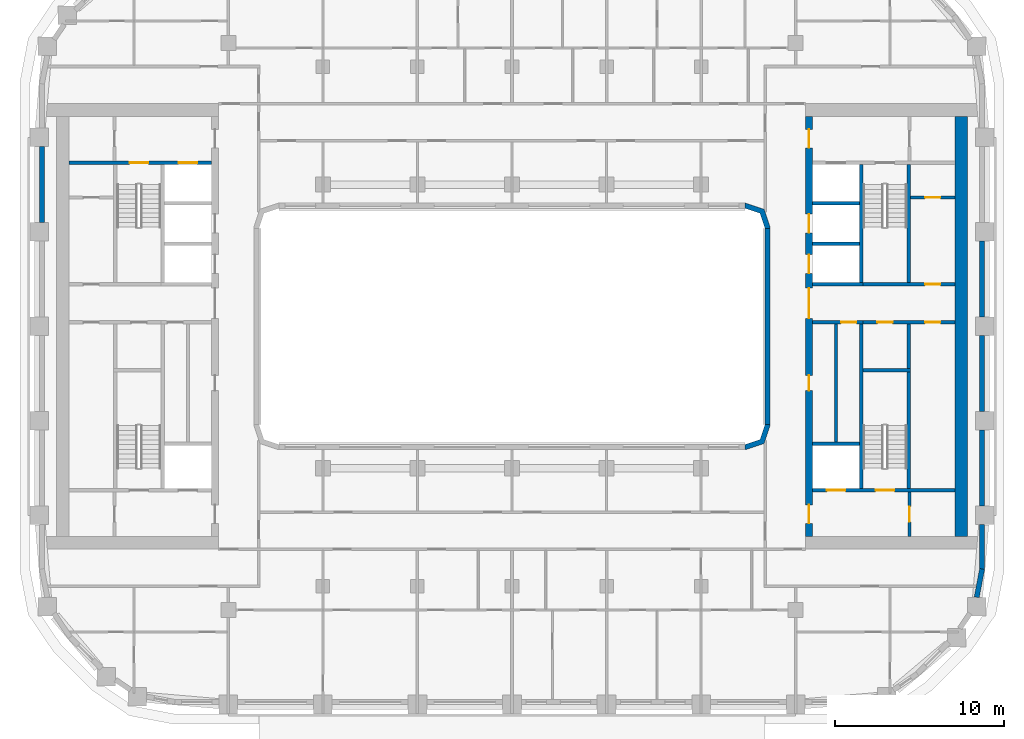
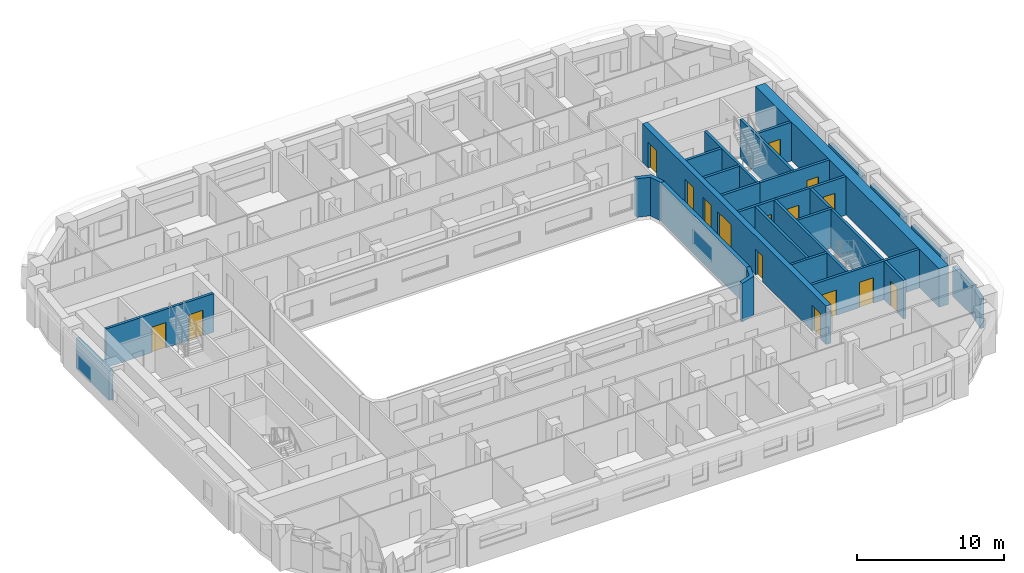
# One storey, part 6 of 22: 29 walls, 16 doors, 16 openings.
"""IFC4 building model written with IfcOpenShell, lengths in metres."""

from ifc_helpers import new_model, si_unit, direction, frame, frame_2d, origin, place, context, subcontext, project, spatial, polyline, rectangle, outline, extrude, material, layer, layer_set, type_object, element, fill, save


model = new_model("IFC4")

# Units and contexts
model_context = context("Model", 3, precision=1e-05, world=origin(), true_north=direction((0.0, 1.0)))
body_context = subcontext(model_context, "Body", "Model", "MODEL_VIEW")
ifc_project = project(units=[si_unit("LENGTHUNIT", "METRE"), si_unit("AREAUNIT", "SQUARE_METRE"), si_unit("VOLUMEUNIT", "CUBIC_METRE"), si_unit("PLANEANGLEUNIT", "RADIAN"), si_unit("MASSUNIT", "GRAM", prefix="KILO")], contexts=[model_context])

# Site, building, storey
site_placement = place(None, origin())
site = spatial("IfcSite", under=ifc_project, at=site_placement, CompositionType="ELEMENT")
building_placement = place(site_placement, origin())
building = spatial("IfcBuilding", under=site, at=building_placement, Name="Kiln Ring Residences", CompositionType="ELEMENT")
storey_placement = place(building_placement, frame((0.0, 0.0, 143.10009765625)))
storey = spatial("IfcBuildingStorey", under=building, at=storey_placement, Name="L36", CompositionType="ELEMENT", Elevation=143.10009765625)

# Wall
ifc_material_1 = material(Name="Gypsum board on steel studs", Category="steel")
ifc_layer_1 = layer(ifc_material_1, 0.199951171875)
ifc_layer_set_1 = layer_set([ifc_layer_1], Name="CORE-PARTITION-200")
wall_type_1 = type_object("IfcWallType", Name="CORE-PARTITION-200", PredefinedType="PARTITIONING", material=ifc_layer_set_1)
wall_1_placement = place(storey_placement, frame((23.5, -2.5, 0.0), z_axis=(0.0, 0.0, 1.0), x_axis=(0.0, 1.0, 0.0)))
element("IfcWall", 1, at=wall_1_placement, inside=storey, type_object=wall_type_1, Name="Core partition east L36 1", PredefinedType="PARTITIONING", context=body_context, shape_type="SweptSolid", body=[
    extrude(rectangle(XDim=2.64990234375, YDim=0.199951171875, at=frame_2d((1.324951171875, 0.0))), origin(), (0.0, 0.0, 1.0), 3.199951171875),
])

# Wall, openings, doors
wall_2_placement = place(storey_placement, frame((20.800048828125, 0.25, 0.0), z_axis=(0.0, 0.0, 1.0), x_axis=(1.0, 0.0, 0.0)))
wall_2 = element("IfcWall", 2, at=wall_2_placement, inside=storey, type_object=wall_type_1, Name="Core partition east L36 2", PredefinedType="PARTITIONING", context=body_context, shape_type="SweptSolid", body=[
    extrude(rectangle(XDim=5.449951171875, YDim=0.199951171875, at=frame_2d((2.72509765625, 0.0))), origin(), (0.0, 0.0, 1.0), 3.199951171875),
])
opening_1_placement = place(wall_2_placement, frame((0.85009765625, 0.0, 0.0)))
opening_1 = element("IfcOpeningElement", 3, at=opening_1_placement, cuts=wall_2, Name="Opening L36-CE14", PredefinedType="OPENING", context=body_context, shape_type="SweptSolid", body=[
    extrude(rectangle(XDim=0.89990234375, YDim=2.10009765625, at=frame_2d((0.449951171875, 1.050048828125))), frame((0.0, 0.10986328125, 0.0), z_axis=(0.0, -1.0, 0.0), x_axis=(1.0, 0.0, 0.0)), (0.0, 0.0, 1.0), 0.219970703125),
])
opening_2_placement = place(wall_2_placement, frame((3.675048828125, 0.0, 0.0)))
opening_2 = element("IfcOpeningElement", 4, at=opening_2_placement, cuts=wall_2, Name="Opening L36-CE15", PredefinedType="OPENING", context=body_context, shape_type="SweptSolid", body=[
    extrude(rectangle(XDim=0.89990234375, YDim=2.10009765625, at=frame_2d((0.449951171875, 1.050048828125))), frame((0.0, 0.10986328125, 0.0), z_axis=(0.0, -1.0, 0.0), x_axis=(1.0, 0.0, 0.0)), (0.0, 0.0, 1.0), 0.219970703125),
])
ifc_material_2 = material(Name="Steel door leaf", Category="steel")
door_type_1 = type_object("IfcDoorType", Name="CORE-DOOR-ROOM", OperationType="SINGLE_SWING_LEFT", PredefinedType="DOOR", material=ifc_material_2)
door_1_placement = place(opening_1_placement, origin())
door_1 = element("IfcDoor", 5, at=door_1_placement, inside=storey, type_object=door_type_1, Name="Refuse and recycling room L36-CE14", OperationType="SINGLE_SWING_LEFT", OverallHeight=2.10009765625, OverallWidth=0.89990234375, PredefinedType="DOOR", context=body_context, shape_type="SweptSolid", body=[
    extrude(rectangle(XDim=0.89990234375, YDim=2.10009765625, at=frame_2d((0.449951171875, 1.050048828125))), frame((0.0, 0.02490234375, 0.0), z_axis=(0.0, -1.0, 0.0), x_axis=(1.0, 0.0, 0.0)), (0.0, 0.0, 1.0), 0.050048828125),
])
fill(opening_1, door_1)
door_2_placement = place(opening_2_placement, origin())
door_2 = element("IfcDoor", 6, at=door_2_placement, inside=storey, type_object=door_type_1, Name="Water tank room L36-CE15", OperationType="SINGLE_SWING_RIGHT", OverallHeight=2.10009765625, OverallWidth=0.89990234375, PredefinedType="DOOR", context=body_context, shape_type="SweptSolid", body=[
    extrude(rectangle(XDim=0.89990234375, YDim=2.10009765625, at=frame_2d((0.449951171875, 1.050048828125))), frame((0.0, 0.02490234375, 0.0), z_axis=(0.0, -1.0, 0.0), x_axis=(1.0, 0.0, 0.0)), (0.0, 0.0, 1.0), 0.050048828125),
])
fill(opening_2, door_2)

# Wall
wall_3_placement = place(storey_placement, frame((19.199951171875, -6.85009765625, 0.0), z_axis=(0.0, 0.0, 1.0), x_axis=(0.0, 1.0, 0.0)))
element("IfcWall", 7, at=wall_3_placement, inside=storey, type_object=wall_type_1, Name="Core partition east L36 3", PredefinedType="PARTITIONING", context=body_context, shape_type="SweptSolid", body=[
    extrude(rectangle(XDim=7.0, YDim=0.199951171875, at=frame_2d((3.5, 0.0))), origin(), (0.0, 0.0, 1.0), 3.199951171875),
])

# Wall, opening, door
wall_4_placement = place(storey_placement, frame((23.550048828125, -12.449951171875, 0.0), z_axis=(0.0, 0.0, 1.0), x_axis=(0.0, 1.0, 0.0)))
wall_4 = element("IfcWall", 8, at=wall_4_placement, inside=storey, type_object=wall_type_1, Name="Core partition east L36 5", PredefinedType="PARTITIONING", context=body_context, shape_type="SweptSolid", body=[
    extrude(rectangle(XDim=2.64990234375, YDim=0.199951171875, at=frame_2d((1.324951171875, 0.0))), origin(), (0.0, 0.0, 1.0), 3.199951171875),
])
opening_3_placement = place(wall_4_placement, frame((0.875, 0.0, 0.0)))
opening_3 = element("IfcOpeningElement", 9, at=opening_3_placement, cuts=wall_4, Name="Opening L36-CE10", PredefinedType="OPENING", context=body_context, shape_type="SweptSolid", body=[
    extrude(rectangle(XDim=0.89990234375, YDim=2.10009765625, at=frame_2d((0.449951171875, 1.050048828125))), frame((0.0, 0.10986328125, 0.0), z_axis=(0.0, -1.0, 0.0), x_axis=(1.0, 0.0, 0.0)), (0.0, 0.0, 1.0), 0.219970703125),
])
door_3_placement = place(opening_3_placement, origin())
door_3 = element("IfcDoor", 10, at=door_3_placement, inside=storey, type_object=door_type_1, Name="Store L36-CE10", OperationType="SINGLE_SWING_LEFT", OverallHeight=2.10009765625, OverallWidth=0.89990234375, PredefinedType="DOOR", context=body_context, shape_type="SweptSolid", body=[
    extrude(rectangle(XDim=0.89990234375, YDim=2.10009765625, at=frame_2d((0.449951171875, 1.050048828125))), frame((0.0, 0.02490234375, 0.0), z_axis=(0.0, -1.0, 0.0), x_axis=(1.0, 0.0, 0.0)), (0.0, 0.0, 1.0), 0.050048828125),
])
fill(opening_3, door_3)

wall_5_placement = place(storey_placement, frame((23.60009765625, 7.639892578125, 0.0), z_axis=(0.0, 0.0, 1.0), x_axis=(1.0, 0.0, 0.0)))
wall_5 = element("IfcWall", 11, at=wall_5_placement, inside=storey, type_object=wall_type_1, Name="Core partition east L36 6", PredefinedType="PARTITIONING", context=body_context, shape_type="SweptSolid", body=[
    extrude(rectangle(XDim=2.64990234375, YDim=0.199951171875, at=frame_2d((1.324951171875, 0.0))), origin(), (0.0, 0.0, 1.0), 3.199951171875),
])
opening_4_placement = place(wall_5_placement, frame((0.875, 0.0, 0.0)))
opening_4 = element("IfcOpeningElement", 12, at=opening_4_placement, cuts=wall_5, Name="Opening L36-CE16", PredefinedType="OPENING", context=body_context, shape_type="SweptSolid", body=[
    extrude(rectangle(XDim=0.89990234375, YDim=2.10009765625, at=frame_2d((0.449951171875, 1.050048828125))), frame((0.0, 0.10986328125, 0.0), z_axis=(0.0, -1.0, 0.0), x_axis=(1.0, 0.0, 0.0)), (0.0, 0.0, 1.0), 0.219970703125),
])
door_4_placement = place(opening_4_placement, origin())
door_4 = element("IfcDoor", 13, at=door_4_placement, inside=storey, type_object=door_type_1, Name="UPS room L36-CE16", OperationType="SINGLE_SWING_RIGHT", OverallHeight=2.10009765625, OverallWidth=0.89990234375, PredefinedType="DOOR", context=body_context, shape_type="SweptSolid", body=[
    extrude(rectangle(XDim=0.89990234375, YDim=2.10009765625, at=frame_2d((0.449951171875, 1.050048828125))), frame((0.0, 0.02490234375, 0.0), z_axis=(0.0, -1.0, 0.0), x_axis=(1.0, 0.0, 0.0)), (0.0, 0.0, 1.0), 0.050048828125),
])
fill(opening_4, door_4)

# Wall
ifc_material_3 = material(Name="Gypsum shaft wall system")
ifc_layer_2 = layer(ifc_material_3, 0.199951171875)
ifc_layer_set_2 = layer_set([ifc_layer_2], Name="CORE-SHAFT-WALL-200")
wall_type_2 = type_object("IfcWallType", Name="CORE-SHAFT-WALL-200", PredefinedType="PARTITIONING", material=ifc_layer_set_2)
wall_6_placement = place(storey_placement, frame((17.800048828125, -6.949951171875, 0.0), z_axis=(0.0, 0.0, 1.0), x_axis=(1.0, 0.0, 0.0)))
element("IfcWall", 14, at=wall_6_placement, inside=storey, type_object=wall_type_2, Name="Core partition east L36 7", PredefinedType="PARTITIONING", context=body_context, shape_type="SweptSolid", body=[
    extrude(rectangle(XDim=2.800048828125, YDim=0.199951171875, at=frame_2d((1.39990234375, 0.0))), origin(), (0.0, 0.0, 1.0), 3.199951171875),
])

# Wall, opening, door
wall_7_placement = place(storey_placement, frame((17.800048828125, 0.25, 0.0), z_axis=(0.0, 0.0, 1.0), x_axis=(1.0, 0.0, 0.0)))
wall_7 = element("IfcWall", 15, at=wall_7_placement, inside=storey, type_object=wall_type_2, Name="Core partition east L36 8", PredefinedType="PARTITIONING", context=body_context, shape_type="SweptSolid", body=[
    extrude(rectangle(XDim=3.0, YDim=0.199951171875, at=frame_2d((1.5, 0.0))), origin(), (0.0, 0.0, 1.0), 3.199951171875),
])
opening_5_placement = place(wall_7_placement, frame((1.699951171875, 0.0, 0.0)))
opening_5 = element("IfcOpeningElement", 16, at=opening_5_placement, cuts=wall_7, Name="Opening L36-CE03", PredefinedType="OPENING", context=body_context, shape_type="SweptSolid", body=[
    extrude(rectangle(XDim=0.89990234375, YDim=2.10009765625, at=frame_2d((0.449951171875, 1.050048828125))), frame((0.0, 0.10986328125, 0.0), z_axis=(0.0, -1.0, 0.0), x_axis=(1.0, 0.0, 0.0)), (0.0, 0.0, 1.0), 0.219970703125),
])
door_5_placement = place(opening_5_placement, origin())
door_5 = element("IfcDoor", 17, at=door_5_placement, inside=storey, type_object=door_type_1, Name="Locker store L36-CE03", OperationType="SINGLE_SWING_RIGHT", OverallHeight=2.10009765625, OverallWidth=0.89990234375, PredefinedType="DOOR", context=body_context, shape_type="SweptSolid", body=[
    extrude(rectangle(XDim=0.89990234375, YDim=2.10009765625, at=frame_2d((0.449951171875, 1.050048828125))), frame((0.0, 0.02490234375, 0.0), z_axis=(0.0, -1.0, 0.0), x_axis=(1.0, 0.0, 0.0)), (0.0, 0.0, 1.0), 0.050048828125),
])
fill(opening_5, door_5)

# Walls
wall_8_placement = place(storey_placement, frame((17.800048828125, 2.5, 0.0), z_axis=(0.0, 0.0, 1.0), x_axis=(1.0, 0.0, 0.0)))
element("IfcWall", 18, at=wall_8_placement, inside=storey, type_object=wall_type_2, Name="Core partition east L36 9", PredefinedType="PARTITIONING", context=body_context, shape_type="SweptSolid", body=[
    extrude(rectangle(XDim=3.0, YDim=0.199951171875, at=frame_2d((1.5, 0.0))), origin(), (0.0, 0.0, 1.0), 3.199951171875),
])
for number, where, z_axis, x_axis, name in (
    (19, (17.800048828125, 4.89990234375, 0.0), (0.0, 0.0, 1.0), (1.0, 0.0, 0.0), "Core partition east L36 10"),
    (20, (17.800048828125, 7.300048828125, 0.0), (0.0, 0.0, 1.0), (1.0, 0.0, 0.0), "Core partition east L36 11"),
):
    element("IfcWall", number, at=place(storey_placement, frame(where, z_axis=z_axis, x_axis=x_axis)), inside=storey, type_object=wall_type_2, Name=name, PredefinedType="PARTITIONING", context=body_context, shape_type="SweptSolid", body=[
        extrude(rectangle(XDim=2.800048828125, YDim=0.199951171875, at=frame_2d((1.39990234375, 0.0))), origin(), (0.0, 0.0, 1.0), 3.199951171875),
    ])

# Wall, openings, doors
ifc_material_4 = material(Name="Concrete C40/50", Category="concrete")
ifc_layer_3 = layer(ifc_material_4, 0.199951171875)
ifc_layer_set_3 = layer_set([ifc_layer_3], Name="CORE-WALL-RC200")
wall_type_3 = type_object("IfcWallType", Name="CORE-WALL-RC200", PredefinedType="SHEAR", material=ifc_layer_set_3)
wall_9_placement = place(storey_placement, frame((-17.800048828125, 9.699951171875, 0.0), z_axis=(0.0, 0.0, 1.0), x_axis=(-1.0, 0.0, 0.0)))
wall_9 = element("IfcWall", 21, at=wall_9_placement, inside=storey, type_object=wall_type_3, Name="Core wall west L36 9", PredefinedType="SHEAR", context=body_context, shape_type="SweptSolid", body=[
    extrude(rectangle(XDim=8.449951171875, YDim=0.199951171875, at=frame_2d((4.22509765625, 0.0))), origin(), (0.0, 0.0, 1.0), 3.199951171875),
])
opening_6_placement = place(wall_9_placement, frame((0.85009765625, 0.0, 0.0)))
opening_6 = element("IfcOpeningElement", 22, at=opening_6_placement, cuts=wall_9, Name="Opening L36-CW06", PredefinedType="OPENING", context=body_context, shape_type="SweptSolid", body=[
    extrude(rectangle(XDim=1.10009765625, YDim=2.10009765625, at=frame_2d((0.550048828125, 1.050048828125))), frame((0.0, 0.10986328125, 0.0), z_axis=(0.0, -1.0, 0.0), x_axis=(1.0, 0.0, 0.0)), (0.0, 0.0, 1.0), 0.219970703125),
])
opening_7_placement = place(wall_9_placement, frame((3.75, 0.0, 0.0)))
opening_7 = element("IfcOpeningElement", 23, at=opening_7_placement, cuts=wall_9, Name="Opening L36-CW11", PredefinedType="OPENING", context=body_context, shape_type="SweptSolid", body=[
    extrude(rectangle(XDim=1.10009765625, YDim=2.10009765625, at=frame_2d((0.550048828125, 1.050048828125))), frame((0.0, 0.10986328125, 0.0), z_axis=(0.0, -1.0, 0.0), x_axis=(1.0, 0.0, 0.0)), (0.0, 0.0, 1.0), 0.219970703125),
])
ifc_material_5 = material(Name="Steel door leaf", Category="steel")
door_type_2 = type_object("IfcDoorType", Name="CORE-DOOR-LD", OperationType="DOUBLE_DOOR_SLIDING", PredefinedType="DOOR", material=ifc_material_5)
door_6_placement = place(opening_6_placement, origin())
door_6 = element("IfcDoor", 24, at=door_6_placement, inside=storey, type_object=door_type_2, Name="LD W-FF L36-CW06", OperationType="DOUBLE_DOOR_SLIDING", OverallHeight=2.10009765625, OverallWidth=1.10009765625, PredefinedType="DOOR", context=body_context, shape_type="SweptSolid", body=[
    extrude(rectangle(XDim=1.10009765625, YDim=2.10009765625, at=frame_2d((0.550048828125, 1.050048828125))), frame((0.0, 0.02490234375, 0.0), z_axis=(0.0, -1.0, 0.0), x_axis=(1.0, 0.0, 0.0)), (0.0, 0.0, 1.0), 0.050048828125),
])
fill(opening_6, door_6)
ifc_material_6 = material(Name="Steel door leaf", Category="steel")
door_type_3 = type_object("IfcDoorType", Name="CORE-DOOR-STAIR", OperationType="SINGLE_SWING_LEFT", PredefinedType="DOOR", material=ifc_material_6)
door_7_placement = place(opening_7_placement, origin())
door_7 = element("IfcDoor", 25, at=door_7_placement, inside=storey, type_object=door_type_3, Name="Stair W-STN L36-CW11", OperationType="SINGLE_SWING_LEFT", OverallHeight=2.10009765625, OverallWidth=1.10009765625, PredefinedType="DOOR", context=body_context, shape_type="SweptSolid", body=[
    extrude(rectangle(XDim=1.10009765625, YDim=2.10009765625, at=frame_2d((0.550048828125, 1.050048828125))), frame((0.0, 0.02490234375, 0.0), z_axis=(0.0, -1.0, 0.0), x_axis=(1.0, 0.0, 0.0)), (0.0, 0.0, 1.0), 0.050048828125),
])
fill(opening_7, door_7)

# Walls
wall_10_placement = place(storey_placement, frame((20.699951171875, 2.60009765625, 0.0), z_axis=(0.0, 0.0, 1.0), x_axis=(0.0, 1.0, 0.0)))
element("IfcWall", 26, at=wall_10_placement, inside=storey, type_object=wall_type_3, Name="Core wall east L36 1", PredefinedType="SHEAR", context=body_context, shape_type="SweptSolid", body=[
    extrude(rectangle(XDim=7.0, YDim=0.199951171875, at=frame_2d((3.5, 0.0))), origin(), (0.0, 0.0, 1.0), 3.199951171875),
])
wall_11_placement = place(storey_placement, frame((20.699951171875, -9.60009765625, 0.0), z_axis=(0.0, 0.0, 1.0), x_axis=(0.0, 1.0, 0.0)))
element("IfcWall", 27, at=wall_11_placement, inside=storey, type_object=wall_type_3, Name="Core wall east L36 2", PredefinedType="SHEAR", context=body_context, shape_type="SweptSolid", body=[
    extrude(rectangle(XDim=9.75, YDim=0.199951171875, at=frame_2d((4.875, 0.0))), origin(), (0.0, 0.0, 1.0), 3.199951171875),
])

# Wall, opening, door
wall_12_placement = place(storey_placement, frame((20.800048828125, 2.5, 0.0), z_axis=(0.0, 0.0, 1.0), x_axis=(1.0, 0.0, 0.0)))
wall_12 = element("IfcWall", 28, at=wall_12_placement, inside=storey, type_object=wall_type_3, Name="Core wall east L36 3", PredefinedType="SHEAR", context=body_context, shape_type="SweptSolid", body=[
    extrude(rectangle(XDim=5.449951171875, YDim=0.199951171875, at=frame_2d((2.72509765625, 0.0))), origin(), (0.0, 0.0, 1.0), 3.199951171875),
])
opening_8_placement = place(wall_12_placement, frame((3.675048828125, 0.0, 0.0)))
opening_8 = element("IfcOpeningElement", 29, at=opening_8_placement, cuts=wall_12, Name="Opening L36-CE17", PredefinedType="OPENING", context=body_context, shape_type="SweptSolid", body=[
    extrude(rectangle(XDim=0.89990234375, YDim=2.10009765625, at=frame_2d((0.449951171875, 1.050048828125))), frame((0.0, 0.10986328125, 0.0), z_axis=(0.0, -1.0, 0.0), x_axis=(1.0, 0.0, 0.0)), (0.0, 0.0, 1.0), 0.219970703125),
])
door_8_placement = place(opening_8_placement, origin())
door_8 = element("IfcDoor", 30, at=door_8_placement, inside=storey, type_object=door_type_1, Name="Electrical plant room L36-CE17", OperationType="SINGLE_SWING_LEFT", OverallHeight=2.10009765625, OverallWidth=0.89990234375, PredefinedType="DOOR", context=body_context, shape_type="SweptSolid", body=[
    extrude(rectangle(XDim=0.89990234375, YDim=2.10009765625, at=frame_2d((0.449951171875, 1.050048828125))), frame((0.0, 0.02490234375, 0.0), z_axis=(0.0, -1.0, 0.0), x_axis=(1.0, 0.0, 0.0)), (0.0, 0.0, 1.0), 0.050048828125),
])
fill(opening_8, door_8)

# Wall, openings, doors
wall_13_placement = place(storey_placement, frame((17.800048828125, -9.699951171875, 0.0), z_axis=(0.0, 0.0, 1.0), x_axis=(1.0, 0.0, 0.0)))
wall_13 = element("IfcWall", 31, at=wall_13_placement, inside=storey, type_object=wall_type_3, Name="Core wall east L36 8", PredefinedType="SHEAR", context=body_context, shape_type="SweptSolid", body=[
    extrude(rectangle(XDim=8.449951171875, YDim=0.199951171875, at=frame_2d((4.22509765625, 0.0))), origin(), (0.0, 0.0, 1.0), 3.199951171875),
])
opening_9_placement = place(wall_13_placement, frame((0.85009765625, 0.0, 0.0)))
opening_9 = element("IfcOpeningElement", 32, at=opening_9_placement, cuts=wall_13, Name="Opening L36-CE01", PredefinedType="OPENING", context=body_context, shape_type="SweptSolid", body=[
    extrude(rectangle(XDim=1.10009765625, YDim=2.10009765625, at=frame_2d((0.550048828125, 1.050048828125))), frame((0.0, 0.10986328125, 0.0), z_axis=(0.0, -1.0, 0.0), x_axis=(1.0, 0.0, 0.0)), (0.0, 0.0, 1.0), 0.219970703125),
])
opening_10_placement = place(wall_13_placement, frame((3.75, 0.0, 0.0)))
opening_10 = element("IfcOpeningElement", 33, at=opening_10_placement, cuts=wall_13, Name="Opening L36-CE12", PredefinedType="OPENING", context=body_context, shape_type="SweptSolid", body=[
    extrude(rectangle(XDim=1.10009765625, YDim=2.10009765625, at=frame_2d((0.550048828125, 1.050048828125))), frame((0.0, 0.10986328125, 0.0), z_axis=(0.0, -1.0, 0.0), x_axis=(1.0, 0.0, 0.0)), (0.0, 0.0, 1.0), 0.219970703125),
])
door_9_placement = place(opening_9_placement, origin())
door_9 = element("IfcDoor", 34, at=door_9_placement, inside=storey, type_object=door_type_2, Name="LD E-SV L36-CE01", OperationType="DOUBLE_DOOR_SLIDING", OverallHeight=2.10009765625, OverallWidth=1.10009765625, PredefinedType="DOOR", context=body_context, shape_type="SweptSolid", body=[
    extrude(rectangle(XDim=1.10009765625, YDim=2.10009765625, at=frame_2d((0.550048828125, 1.050048828125))), frame((0.0, 0.02490234375, 0.0), z_axis=(0.0, -1.0, 0.0), x_axis=(1.0, 0.0, 0.0)), (0.0, 0.0, 1.0), 0.050048828125),
])
fill(opening_9, door_9)
door_10_placement = place(opening_10_placement, origin())
door_10 = element("IfcDoor", 35, at=door_10_placement, inside=storey, type_object=door_type_3, Name="Stair E-STS L36-CE12", OperationType="SINGLE_SWING_RIGHT", OverallHeight=2.10009765625, OverallWidth=1.10009765625, PredefinedType="DOOR", context=body_context, shape_type="SweptSolid", body=[
    extrude(rectangle(XDim=1.10009765625, YDim=2.10009765625, at=frame_2d((0.550048828125, 1.050048828125))), frame((0.0, 0.02490234375, 0.0), z_axis=(0.0, -1.0, 0.0), x_axis=(1.0, 0.0, 0.0)), (0.0, 0.0, 1.0), 0.050048828125),
])
fill(opening_10, door_10)

# Walls
wall_14_placement = place(storey_placement, frame((23.5, 2.60009765625, 0.0), z_axis=(0.0, 0.0, 1.0), x_axis=(0.0, 1.0, 0.0)))
element("IfcWall", 36, at=wall_14_placement, inside=storey, type_object=wall_type_3, Name="Core wall east L36 10", PredefinedType="SHEAR", context=body_context, shape_type="SweptSolid", body=[
    extrude(rectangle(XDim=7.0, YDim=0.199951171875, at=frame_2d((3.5, 0.0))), origin(), (0.0, 0.0, 1.0), 3.199951171875),
])
wall_15_placement = place(storey_placement, frame((23.5, -9.60009765625, 0.0), z_axis=(0.0, 0.0, 1.0), x_axis=(0.0, 1.0, 0.0)))
element("IfcWall", 37, at=wall_15_placement, inside=storey, type_object=wall_type_3, Name="Core wall east L36 11", PredefinedType="SHEAR", context=body_context, shape_type="SweptSolid", body=[
    extrude(rectangle(XDim=6.900146484375, YDim=0.199951171875, at=frame_2d((3.4501953125, 0.0))), origin(), (0.0, 0.0, 1.0), 3.199951171875),
])
wall_16_placement = place(storey_placement, frame((20.800048828125, -2.60009765625, 0.0), z_axis=(0.0, 0.0, 1.0), x_axis=(1.0, 0.0, 0.0)))
element("IfcWall", 38, at=wall_16_placement, inside=storey, type_object=wall_type_3, Name="Core wall east L36 12", PredefinedType="SHEAR", context=body_context, shape_type="SweptSolid", body=[
    extrude(rectangle(XDim=2.800048828125, YDim=0.199951171875, at=frame_2d((1.39990234375, 0.0))), origin(), (0.0, 0.0, 1.0), 3.199951171875),
])

# Wall, openings, doors
ifc_material_7 = material(Name="Concrete C60/75", Category="concrete")
ifc_layer_4 = layer(ifc_material_7, 0.39990234375)
ifc_layer_set_4 = layer_set([ifc_layer_4], Name="CORE-WALL-RC400")
wall_type_4 = type_object("IfcWallType", Name="CORE-WALL-RC400", PredefinedType="SHEAR", material=ifc_layer_set_4)
wall_17_placement = place(storey_placement, frame((17.60009765625, -12.449951171875, 0.0), z_axis=(0.0, 0.0, 1.0), x_axis=(0.0, 1.0, 0.0)))
wall_17 = element("IfcWall", 39, at=wall_17_placement, inside=storey, type_object=wall_type_4, Name="Core wall east L36 6", PredefinedType="SHEAR", context=body_context, shape_type="SweptSolid", body=[
    extrude(rectangle(XDim=24.89990234375, YDim=0.39990234375, at=frame_2d((12.449951171875, 0.0))), origin(), (0.0, 0.0, 1.0), 3.199951171875),
])
opening_11_placement = place(wall_17_placement, frame((8.64990234375, 0.0, 0.0)))
opening_11 = element("IfcOpeningElement", 40, at=opening_11_placement, cuts=wall_17, Name="Opening L36-CE02", PredefinedType="OPENING", context=body_context, shape_type="SweptSolid", body=[
    extrude(rectangle(XDim=0.89990234375, YDim=2.10009765625, at=frame_2d((0.449951171875, 1.050048828125))), frame((0.0, 0.2099609375, 0.0), z_axis=(0.0, -1.0, 0.0), x_axis=(1.0, 0.0, 0.0)), (0.0, 0.0, 1.0), 0.419921875),
])
opening_12_placement = place(wall_17_placement, frame((15.60009765625, 0.0, 0.0)))
opening_12 = element("IfcOpeningElement", 41, at=opening_12_placement, cuts=wall_17, Name="Opening L36-CE04", PredefinedType="OPENING", context=body_context, shape_type="SweptSolid", body=[
    extrude(rectangle(XDim=1.10009765625, YDim=2.10009765625, at=frame_2d((0.550048828125, 1.050048828125))), frame((0.0, 0.2099609375, 0.0), z_axis=(0.0, -1.0, 0.0), x_axis=(1.0, 0.0, 0.0)), (0.0, 0.0, 1.0), 0.419921875),
])
opening_13_placement = place(wall_17_placement, frame((18.0, 0.0, 0.0)))
opening_13 = element("IfcOpeningElement", 42, at=opening_13_placement, cuts=wall_17, Name="Opening L36-CE05", PredefinedType="OPENING", context=body_context, shape_type="SweptSolid", body=[
    extrude(rectangle(XDim=1.10009765625, YDim=2.10009765625, at=frame_2d((0.550048828125, 1.050048828125))), frame((0.0, 0.2099609375, 0.0), z_axis=(0.0, -1.0, 0.0), x_axis=(1.0, 0.0, 0.0)), (0.0, 0.0, 1.0), 0.419921875),
])
opening_14_placement = place(wall_17_placement, frame((23.02490234375, 0.0, 0.0)))
opening_14 = element("IfcOpeningElement", 43, at=opening_14_placement, cuts=wall_17, Name="Opening L36-CE07", PredefinedType="OPENING", context=body_context, shape_type="SweptSolid", body=[
    extrude(rectangle(XDim=1.10009765625, YDim=2.10009765625, at=frame_2d((0.550048828125, 1.050048828125))), frame((0.0, 0.2099609375, 0.0), z_axis=(0.0, -1.0, 0.0), x_axis=(1.0, 0.0, 0.0)), (0.0, 0.0, 1.0), 0.419921875),
])
opening_15_placement = place(wall_17_placement, frame((0.77490234375, 0.0, 0.0)))
opening_15 = element("IfcOpeningElement", 44, at=opening_15_placement, cuts=wall_17, Name="Opening L36-CE08", PredefinedType="OPENING", context=body_context, shape_type="SweptSolid", body=[
    extrude(rectangle(XDim=1.10009765625, YDim=2.10009765625, at=frame_2d((0.550048828125, 1.050048828125))), frame((0.0, 0.2099609375, 0.0), z_axis=(0.0, -1.0, 0.0), x_axis=(1.0, 0.0, 0.0)), (0.0, 0.0, 1.0), 0.419921875),
])
opening_16_placement = place(wall_17_placement, frame((12.925048828125, 0.0, 0.0)))
opening_16 = element("IfcOpeningElement", 45, at=opening_16_placement, cuts=wall_17, Name="Opening L36-CE13", PredefinedType="OPENING", context=body_context, shape_type="SweptSolid", body=[
    extrude(rectangle(XDim=1.800048828125, YDim=2.10009765625, at=frame_2d((0.89990234375, 1.050048828125))), frame((0.0, 0.2099609375, 0.0), z_axis=(0.0, -1.0, 0.0), x_axis=(1.0, 0.0, 0.0)), (0.0, 0.0, 1.0), 0.419921875),
])
door_11_placement = place(opening_12_placement, origin())
door_11 = element("IfcDoor", 46, at=door_11_placement, inside=storey, type_object=door_type_2, Name="LD E-M1 L36-CE04", OperationType="DOUBLE_DOOR_SLIDING", OverallHeight=2.10009765625, OverallWidth=1.10009765625, PredefinedType="DOOR", context=body_context, shape_type="SweptSolid", body=[
    extrude(rectangle(XDim=1.10009765625, YDim=2.10009765625, at=frame_2d((0.550048828125, 1.050048828125))), frame((0.0, 0.02490234375, 0.0), z_axis=(0.0, -1.0, 0.0), x_axis=(1.0, 0.0, 0.0)), (0.0, 0.0, 1.0), 0.050048828125),
])
fill(opening_12, door_11)
door_12_placement = place(opening_13_placement, origin())
door_12 = element("IfcDoor", 47, at=door_12_placement, inside=storey, type_object=door_type_2, Name="LD E-M2 L36-CE05", OperationType="DOUBLE_DOOR_SLIDING", OverallHeight=2.10009765625, OverallWidth=1.10009765625, PredefinedType="DOOR", context=body_context, shape_type="SweptSolid", body=[
    extrude(rectangle(XDim=1.10009765625, YDim=2.10009765625, at=frame_2d((0.550048828125, 1.050048828125))), frame((0.0, 0.02490234375, 0.0), z_axis=(0.0, -1.0, 0.0), x_axis=(1.0, 0.0, 0.0)), (0.0, 0.0, 1.0), 0.050048828125),
])
fill(opening_13, door_12)
ifc_material_8 = material(Name="Steel door leaf", Category="steel")
door_type_4 = type_object("IfcDoorType", Name="CORE-DOOR-LOBBY", OperationType="SINGLE_SWING_LEFT", PredefinedType="DOOR", material=ifc_material_8)
door_13_placement = place(opening_14_placement, origin())
door_13 = element("IfcDoor", 48, at=door_13_placement, inside=storey, type_object=door_type_4, Name="FFL L36-CE07", OperationType="SINGLE_SWING_LEFT", OverallHeight=2.10009765625, OverallWidth=1.10009765625, PredefinedType="DOOR", context=body_context, shape_type="SweptSolid", body=[
    extrude(rectangle(XDim=1.10009765625, YDim=2.10009765625, at=frame_2d((0.550048828125, 1.050048828125))), frame((0.0, 0.02490234375, 0.0), z_axis=(0.0, -1.0, 0.0), x_axis=(1.0, 0.0, 0.0)), (0.0, 0.0, 1.0), 0.050048828125),
])
fill(opening_14, door_13)
door_14_placement = place(opening_15_placement, origin())
door_14 = element("IfcDoor", 49, at=door_14_placement, inside=storey, type_object=door_type_4, Name="SVL L36-CE08", OperationType="SINGLE_SWING_RIGHT", OverallHeight=2.10009765625, OverallWidth=1.10009765625, PredefinedType="DOOR", context=body_context, shape_type="SweptSolid", body=[
    extrude(rectangle(XDim=1.10009765625, YDim=2.10009765625, at=frame_2d((0.550048828125, 1.050048828125))), frame((0.0, 0.02490234375, 0.0), z_axis=(0.0, -1.0, 0.0), x_axis=(1.0, 0.0, 0.0)), (0.0, 0.0, 1.0), 0.050048828125),
])
fill(opening_15, door_14)
ifc_material_9 = material(Name="Steel door leaf", Category="steel")
door_type_5 = type_object("IfcDoorType", Name="CORE-DOOR-PASS", OperationType="DOUBLE_DOOR_SINGLE_SWING", PredefinedType="DOOR", material=ifc_material_9)
door_15_placement = place(opening_16_placement, origin())
door_15 = element("IfcDoor", 50, at=door_15_placement, inside=storey, type_object=door_type_5, Name="Core passage L36-CE13", OperationType="DOUBLE_DOOR_SINGLE_SWING", OverallHeight=2.10009765625, OverallWidth=1.800048828125, PredefinedType="DOOR", context=body_context, shape_type="SweptSolid", body=[
    extrude(rectangle(XDim=1.800048828125, YDim=2.10009765625, at=frame_2d((0.89990234375, 1.050048828125))), frame((0.0, 0.02490234375, 0.0), z_axis=(0.0, -1.0, 0.0), x_axis=(1.0, 0.0, 0.0)), (0.0, 0.0, 1.0), 0.050048828125),
])
fill(opening_16, door_15)
door_16_placement = place(opening_11_placement, origin())
door_16 = element("IfcDoor", 51, at=door_16_placement, inside=storey, type_object=door_type_1, Name="Storage room L36-CE02", OperationType="SINGLE_SWING_LEFT", OverallHeight=2.10009765625, OverallWidth=0.89990234375, PredefinedType="DOOR", context=body_context, shape_type="SweptSolid", body=[
    extrude(rectangle(XDim=0.89990234375, YDim=2.10009765625, at=frame_2d((0.449951171875, 1.050048828125))), frame((0.0, 0.02490234375, 0.0), z_axis=(0.0, -1.0, 0.0), x_axis=(1.0, 0.0, 0.0)), (0.0, 0.0, 1.0), 0.050048828125),
])
fill(opening_11, door_16)

# Walls
ifc_material_10 = material(Name="Concrete C60/75", Category="concrete")
ifc_layer_5 = layer(ifc_material_10, 0.75)
ifc_layer_set_5 = layer_set([ifc_layer_5], Name="CORE-WALL-RC750")
wall_type_5 = type_object("IfcWallType", Name="CORE-WALL-RC750", PredefinedType="SHEAR", material=ifc_layer_set_5)
wall_18_placement = place(storey_placement, frame((26.625, -12.449951171875, 0.0), z_axis=(0.0, 0.0, 1.0), x_axis=(0.0, 1.0, 0.0)))
element("IfcWall", 52, at=wall_18_placement, inside=storey, type_object=wall_type_5, Name="Core wall east L36 7", PredefinedType="SHEAR", context=body_context, shape_type="SweptSolid", body=[
    extrude(rectangle(XDim=24.89990234375, YDim=0.75, at=frame_2d((12.449951171875, 0.0))), origin(), (0.0, 0.0, 1.0), 3.199951171875),
])
ifc_material_11 = material(Name="Brick masonry, dark clay brick", Category="masonry")
ifc_layer_6 = layer(ifc_material_11, 0.300048828125)
ifc_layer_set_6 = layer_set([ifc_layer_6], Name="EW-300 BRICK WALL")
wall_type_6 = type_object("IfcWallType", Name="EW-300 BRICK WALL", PredefinedType="SOLIDWALL", material=ifc_layer_set_6)
wall_19_placement = place(storey_placement, frame((27.532958984375, -16.0478515625, 0.0), z_axis=(0.0, 0.0, 1.0), x_axis=(0.187302784601, 0.982302227871, 0.0)))
element("IfcWall", 53, at=wall_19_placement, inside=storey, type_object=wall_type_6, Name="Facade wall L36 16", PredefinedType="SOLIDWALL", context=body_context, shape_type="SweptSolid", body=[
    extrude(rectangle(XDim=1.706298828125, YDim=0.300048828125, at=frame_2d((0.85302734375, 0.0))), origin(), (0.0, 0.0, 1.0), 2.449951171875),
])
wall_20_placement = place(storey_placement, frame((27.85009765625, -14.39990234375, 0.0), z_axis=(0.0, 0.0, 1.0), x_axis=(0.0, 1.0, 0.0)))
element("IfcWall", 54, at=wall_20_placement, inside=storey, type_object=wall_type_6, Name="Facade wall L36 17", PredefinedType="SOLIDWALL", context=body_context, shape_type="SweptSolid", body=[
    extrude(rectangle(XDim=2.64990234375, YDim=0.300048828125, at=frame_2d((1.324951171875, 0.0))), origin(), (0.0, 0.0, 1.0), 2.449951171875),
])
for number, where, z_axis, x_axis, name in (
    (55, (27.85009765625, -10.64990234375, 0.0), (0.0, 0.0, 1.0), (0.0, 1.0, 0.0), "Facade wall L36 18"),
    (56, (27.85009765625, -5.050048828125, 0.0), (0.0, 0.0, 1.0), (0.0, 1.0, 0.0), "Facade wall L36 19"),
    (57, (27.85009765625, 0.550048828125, 0.0), (0.0, 0.0, 1.0), (0.0, 1.0, 0.0), "Facade wall L36 20"),
    (58, (-27.85009765625, 10.64990234375, 0.0), (0.0, 0.0, 1.0), (0.0, -1.0, 0.0), "Facade wall L36 42"),
):
    element("IfcWall", number, at=place(storey_placement, frame(where, z_axis=z_axis, x_axis=x_axis)), inside=storey, type_object=wall_type_6, Name=name, PredefinedType="SOLIDWALL", context=body_context, shape_type="SweptSolid", body=[
        extrude(rectangle(XDim=4.5, YDim=0.300048828125, at=frame_2d((2.25, 0.0))), origin(), (0.0, 0.0, 1.0), 2.449951171875),
    ])
wall_21_placement = place(storey_placement, frame((15.14990234375, 5.800048828125, 0.0), z_axis=(0.0, 0.0, 1.0), x_axis=(0.0, -1.0, 0.0)))
element("IfcWall", 59, at=wall_21_placement, inside=storey, type_object=wall_type_6, Name="Facade wall L36 51", PredefinedType="SOLIDWALL", context=body_context, shape_type="SweptSolid", body=[
    extrude(rectangle(XDim=11.60009765625, YDim=0.300048828125, at=frame_2d((5.800048828125, 0.0))), origin(), (0.0, 0.0, 1.0), 3.199951171875),
])
placement = place(storey_placement, origin())
element("IfcWall", 60, at=placement, inside=storey, type_object=wall_type_6, Name="Corner wall L36 2", PredefinedType="SOLIDWALL", context=body_context, shape_type="SweptSolid", body=[
    extrude(outline(polyline([(14.937255859375, 6.937255859375), (13.8486328125, 7.300048828125), (13.800048828125, 7.300048828125), (13.800048828125, 7.0), (14.699951171875, 6.699951171875), (15.0, 5.800048828125), (15.300048828125, 5.800048828125), (15.300048828125, 5.8486328125), (14.937255859375, 6.937255859375)])), origin(), (0.0, 0.0, 1.0), 3.199951171875),
])
element("IfcWall", 61, at=placement, inside=storey, type_object=wall_type_6, Name="Corner wall L36 3", PredefinedType="SOLIDWALL", context=body_context, shape_type="SweptSolid", body=[
    extrude(outline(polyline([(14.937255859375, -6.937255859375), (15.300048828125, -5.8486328125), (15.300048828125, -5.800048828125), (15.0, -5.800048828125), (14.699951171875, -6.699951171875), (13.800048828125, -7.0), (13.800048828125, -7.300048828125), (13.8486328125, -7.300048828125), (14.937255859375, -6.937255859375)])), origin(), (0.0, 0.0, 1.0), 3.199951171875),
])

save(model, "model.ifc")
